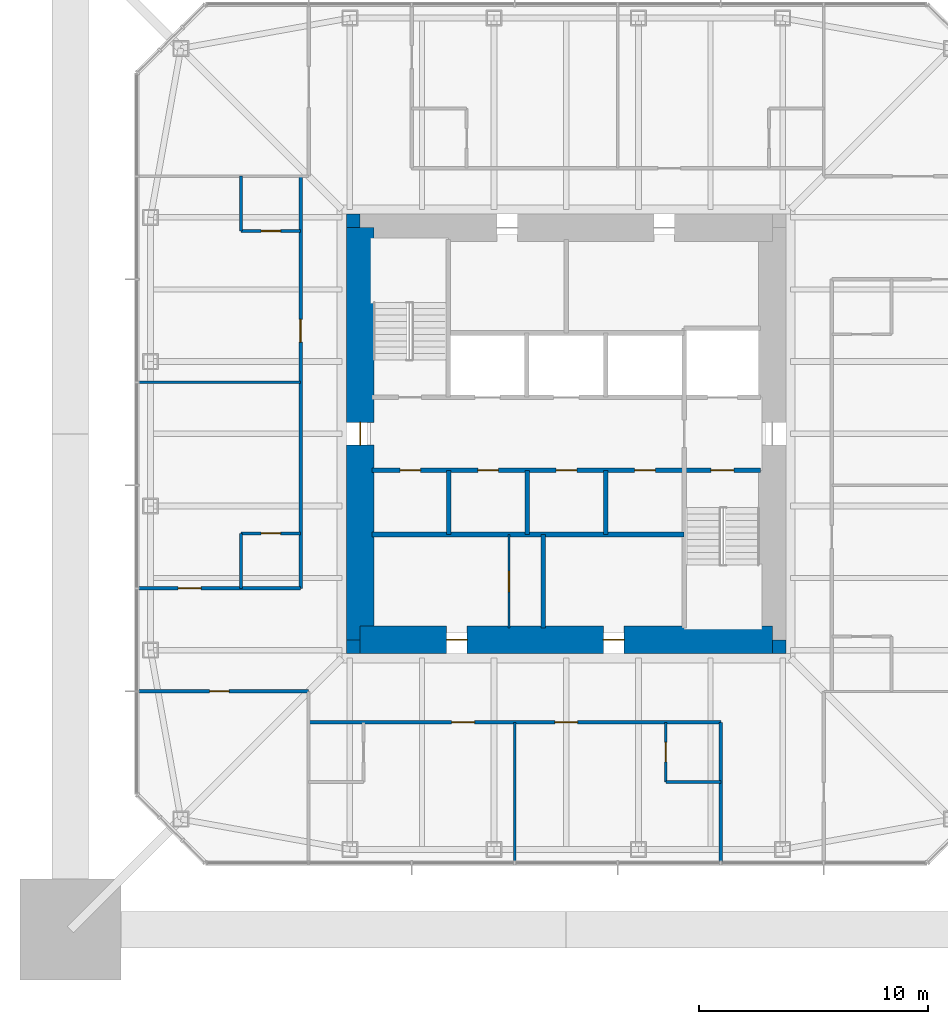
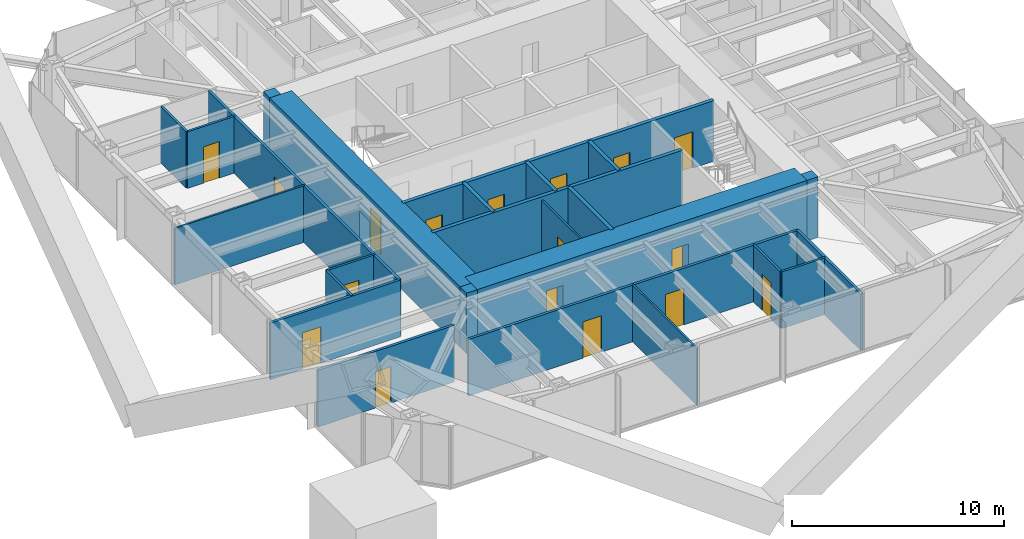
# One storey, part 8 of 13: 25 walls, 17 doors, 17 openings.
"""IFC4 building model written with IfcOpenShell, lengths in metres."""

from ifc_helpers import new_model, si_unit, direction, frame, frame_2d, origin, place, context, subcontext, project, spatial, rectangle, extrude, material, layer, layer_set, type_object, element, fill, save


model = new_model("IFC4")

# Units and contexts
model_context = context("Model", 3, precision=1e-05, world=origin(), true_north=direction((0.0, 1.0)))
body_context = subcontext(model_context, "Body", "Model", "MODEL_VIEW")
ifc_project = project(units=[si_unit("LENGTHUNIT", "METRE"), si_unit("AREAUNIT", "SQUARE_METRE"), si_unit("VOLUMEUNIT", "CUBIC_METRE"), si_unit("PLANEANGLEUNIT", "RADIAN"), si_unit("MASSUNIT", "GRAM", prefix="KILO")], contexts=[model_context])

# Site, building, storey
site_placement = place(None, origin())
site = spatial("IfcSite", under=ifc_project, at=site_placement, CompositionType="ELEMENT")
building_placement = place(site_placement, origin())
building = spatial("IfcBuilding", under=site, at=building_placement, Name="Iwan Alto Co-Living Towers", CompositionType="ELEMENT")
storey_placement = place(building_placement, frame((0.0, 0.0, 198.5)))
storey = spatial("IfcBuildingStorey", under=building, at=storey_placement, Name="L54", CompositionType="ELEMENT", Elevation=198.5)

# Wall, openings, doors
ifc_material_1 = material(Name="Gypsum board")
ifc_layer_1 = layer(ifc_material_1, 0.02490234375, Name="Board", Category="Finish")
ifc_material_2 = material(Name="Steel ASTM A1003 ST33H cold-formed studs", Category="steel")
ifc_layer_2 = layer(ifc_material_2, 0.10009765625, Name="Studs", Category="Framing")
ifc_layer_3 = layer(ifc_material_1, 0.02490234375, Name="Board", Category="Finish")
ifc_layer_set_1 = layer_set([ifc_layer_1, ifc_layer_2, ifc_layer_3], Name="CORRIDOR WALL 150")
wall_type_1 = type_object("IfcWallType", Name="CORRIDOR WALL 150", PredefinedType="PARTITIONING", material=ifc_layer_set_1)
wall_1_placement = place(storey_placement, frame((-11.25, -12.60009765625, 0.0), z_axis=(0.0, 0.0, 1.0), x_axis=(1.0, 0.0, 0.0)))
wall_1 = element("IfcWall", 1, at=wall_1_placement, inside=storey, type_object=wall_type_1, Name="Partition L54", PredefinedType="PARTITIONING", context=body_context, shape_type="SweptSolid", body=[
    extrude(rectangle(XDim=18.0, YDim=0.14990234375, at=frame_2d((9.0, 0.0))), origin(), (0.0, 0.0, 1.0), 3.27001953125),
])
opening_1_placement = place(wall_1_placement, frame((6.25, 0.0, 0.0)))
opening_1 = element("IfcOpeningElement", 2, at=opening_1_placement, cuts=wall_1, Name="Opening D3", PredefinedType="OPENING", context=body_context, shape_type="SweptSolid", body=[
    extrude(rectangle(XDim=1.0, YDim=2.10009765625, at=frame_2d((0.5, 1.050048828125))), frame((0.0, 0.0849609375, 0.0), z_axis=(0.0, -1.0, 0.0), x_axis=(1.0, 0.0, 0.0)), (0.0, 0.0, 1.0), 0.169921875),
])
opening_2_placement = place(wall_1_placement, frame((10.75, 0.0, 0.0)))
opening_2 = element("IfcOpeningElement", 3, at=opening_2_placement, cuts=wall_1, Name="Opening D3", PredefinedType="OPENING", context=body_context, shape_type="SweptSolid", body=[
    extrude(rectangle(XDim=1.0, YDim=2.10009765625, at=frame_2d((0.5, 1.050048828125))), frame((0.0, 0.0849609375, 0.0), z_axis=(0.0, -1.0, 0.0), x_axis=(1.0, 0.0, 0.0)), (0.0, 0.0, 1.0), 0.169921875),
])
ifc_material_3 = material(Name="Steel frame with timber leaf", Category="steel")
door_type_1 = type_object("IfcDoorType", Name="FLAT ENTRANCE DOOR FD30S 1000X2100", OperationType="SINGLE_SWING_LEFT", PredefinedType="DOOR", material=ifc_material_3)
door_1_placement = place(opening_1_placement, frame((1.0, 0.0, 0.0), z_axis=(0.0, 0.0, 1.0), x_axis=(-1.0, 0.0, 0.0)))
door_1 = element("IfcDoor", 4, at=door_1_placement, inside=storey, type_object=door_type_1, Name="Studio door L54", OperationType="SINGLE_SWING_LEFT", OverallHeight=2.10009765625, OverallWidth=1.0, PredefinedType="DOOR", context=body_context, shape_type="SweptSolid", body=[
    extrude(rectangle(XDim=1.0, YDim=2.10009765625, at=frame_2d((0.5, 1.050048828125))), frame((0.0, 0.02490234375, 0.0), z_axis=(0.0, -1.0, 0.0), x_axis=(1.0, 0.0, 0.0)), (0.0, 0.0, 1.0), 0.050048828125),
])
fill(opening_1, door_1)
door_2_placement = place(opening_2_placement, frame((1.0, 0.0, 0.0), z_axis=(0.0, 0.0, 1.0), x_axis=(-1.0, 0.0, 0.0)))
door_2 = element("IfcDoor", 5, at=door_2_placement, inside=storey, type_object=door_type_1, Name="Studio door L54", OperationType="SINGLE_SWING_RIGHT", OverallHeight=2.10009765625, OverallWidth=1.0, PredefinedType="DOOR", context=body_context, shape_type="SweptSolid", body=[
    extrude(rectangle(XDim=1.0, YDim=2.10009765625, at=frame_2d((0.5, 1.050048828125))), frame((0.0, 0.02490234375, 0.0), z_axis=(0.0, -1.0, 0.0), x_axis=(1.0, 0.0, 0.0)), (0.0, 0.0, 1.0), 0.050048828125),
])
fill(opening_2, door_2)

# Wall, opening, door
wall_2_placement = place(storey_placement, frame((-18.68994140625, -11.25, 0.0), z_axis=(0.0, 0.0, 1.0), x_axis=(1.0, 0.0, 0.0)))
wall_2 = element("IfcWall", 6, at=wall_2_placement, inside=storey, type_object=wall_type_1, Name="Partition L54", PredefinedType="PARTITIONING", context=body_context, shape_type="SweptSolid", body=[
    extrude(rectangle(XDim=7.43994140625, YDim=0.14990234375, at=frame_2d((3.719970703125, 0.0))), origin(), (0.0, 0.0, 1.0), 3.27001953125),
])
opening_3_placement = place(wall_2_placement, frame((3.1201171875, 0.0, 0.0)))
opening_3 = element("IfcOpeningElement", 7, at=opening_3_placement, cuts=wall_2, Name="Opening D2", PredefinedType="OPENING", context=body_context, shape_type="SweptSolid", body=[
    extrude(rectangle(XDim=0.85009765625, YDim=2.10009765625, at=frame_2d((0.425048828125, 1.050048828125))), frame((0.0, 0.0849609375, 0.0), z_axis=(0.0, -1.0, 0.0), x_axis=(1.0, 0.0, 0.0)), (0.0, 0.0, 1.0), 0.169921875),
])
ifc_material_4 = material(Name="Timber leaf in steel frame", Category="steel")
door_type_2 = type_object("IfcDoorType", Name="ROOM DOOR 850X2100", OperationType="SINGLE_SWING_LEFT", PredefinedType="DOOR", material=ifc_material_4)
door_3_placement = place(opening_3_placement, frame((0.85009765625, 0.0, 0.0), z_axis=(0.0, 0.0, 1.0), x_axis=(-1.0, 0.0, 0.0)))
door_3 = element("IfcDoor", 8, at=door_3_placement, inside=storey, type_object=door_type_2, Name="Shared kitchen and dining room door L54", OperationType="SINGLE_SWING_RIGHT", OverallHeight=2.10009765625, OverallWidth=0.85009765625, PredefinedType="DOOR", context=body_context, shape_type="SweptSolid", body=[
    extrude(rectangle(XDim=0.85009765625, YDim=2.10009765625, at=frame_2d((0.425048828125, 1.050048828125))), frame((0.0, 0.02490234375, 0.0), z_axis=(0.0, -1.0, 0.0), x_axis=(1.0, 0.0, 0.0)), (0.0, 0.0, 1.0), 0.050048828125),
])
fill(opening_3, door_3)

wall_3_placement = place(storey_placement, frame((-18.68994140625, -6.75, 0.0), z_axis=(0.0, 0.0, 1.0), x_axis=(1.0, 0.0, 0.0)))
wall_3 = element("IfcWall", 9, at=wall_3_placement, inside=storey, type_object=wall_type_1, Name="Partition L54", PredefinedType="PARTITIONING", context=body_context, shape_type="SweptSolid", body=[
    extrude(rectangle(XDim=7.08984375, YDim=0.14990234375, at=frame_2d((3.544921875, 0.0))), origin(), (0.0, 0.0, 1.0), 3.27001953125),
])
opening_4_placement = place(wall_3_placement, frame((1.7451171875, 0.0, 0.0)))
opening_4 = element("IfcOpeningElement", 10, at=opening_4_placement, cuts=wall_3, Name="Opening D3", PredefinedType="OPENING", context=body_context, shape_type="SweptSolid", body=[
    extrude(rectangle(XDim=1.0, YDim=2.10009765625, at=frame_2d((0.5, 1.050048828125))), frame((0.0, 0.0849609375, 0.0), z_axis=(0.0, -1.0, 0.0), x_axis=(1.0, 0.0, 0.0)), (0.0, 0.0, 1.0), 0.169921875),
])
door_4_placement = place(opening_4_placement, origin())
door_4 = element("IfcDoor", 11, at=door_4_placement, inside=storey, type_object=door_type_1, Name="Studio door L54", OperationType="SINGLE_SWING_RIGHT", OverallHeight=2.10009765625, OverallWidth=1.0, PredefinedType="DOOR", context=body_context, shape_type="SweptSolid", body=[
    extrude(rectangle(XDim=1.0, YDim=2.10009765625, at=frame_2d((0.5, 1.050048828125))), frame((0.0, 0.02490234375, 0.0), z_axis=(0.0, -1.0, 0.0), x_axis=(1.0, 0.0, 0.0)), (0.0, 0.0, 1.0), 0.050048828125),
])
fill(opening_4, door_4)

# Wall
wall_4_placement = place(storey_placement, frame((6.75, -18.68994140625, 0.0), z_axis=(0.0, 0.0, 1.0), x_axis=(0.0, 1.0, 0.0)))
element("IfcWall", 12, at=wall_4_placement, inside=storey, type_object=wall_type_1, Name="Partition L54", PredefinedType="PARTITIONING", context=body_context, shape_type="SweptSolid", body=[
    extrude(rectangle(XDim=6.08984375, YDim=0.14990234375, at=frame_2d((3.044921875, 0.0))), origin(), (0.0, 0.0, 1.0), 3.27001953125),
])

# Wall, opening, door
wall_5_placement = place(storey_placement, frame((-11.60009765625, -6.75, 0.0), z_axis=(0.0, 0.0, 1.0), x_axis=(0.0, 1.0, 0.0)))
wall_5 = element("IfcWall", 13, at=wall_5_placement, inside=storey, type_object=wall_type_1, Name="Partition L54", PredefinedType="PARTITIONING", context=body_context, shape_type="SweptSolid", body=[
    extrude(rectangle(XDim=18.0, YDim=0.14990234375, at=frame_2d((9.0, 0.0))), origin(), (0.0, 0.0, 1.0), 3.27001953125),
])
opening_5_placement = place(wall_5_placement, frame((10.75, 0.0, 0.0)))
opening_5 = element("IfcOpeningElement", 14, at=opening_5_placement, cuts=wall_5, Name="Opening D3", PredefinedType="OPENING", context=body_context, shape_type="SweptSolid", body=[
    extrude(rectangle(XDim=1.0, YDim=2.10009765625, at=frame_2d((0.5, 1.050048828125))), frame((0.0, 0.0849609375, 0.0), z_axis=(0.0, -1.0, 0.0), x_axis=(1.0, 0.0, 0.0)), (0.0, 0.0, 1.0), 0.169921875),
])
door_5_placement = place(opening_5_placement, origin())
door_5 = element("IfcDoor", 15, at=door_5_placement, inside=storey, type_object=door_type_1, Name="Studio door L54", OperationType="SINGLE_SWING_LEFT", OverallHeight=2.10009765625, OverallWidth=1.0, PredefinedType="DOOR", context=body_context, shape_type="SweptSolid", body=[
    extrude(rectangle(XDim=1.0, YDim=2.10009765625, at=frame_2d((0.5, 1.050048828125))), frame((0.0, 0.02490234375, 0.0), z_axis=(0.0, -1.0, 0.0), x_axis=(1.0, 0.0, 0.0)), (0.0, 0.0, 1.0), 0.050048828125),
])
fill(opening_5, door_5)

# Walls
ifc_layer_4 = layer(ifc_material_1, 0.012451171875, Name="Board", Category="Finish")
ifc_layer_5 = layer(ifc_material_2, 0.074951171875, Name="Studs", Category="Framing")
ifc_layer_6 = layer(ifc_material_1, 0.012451171875, Name="Board", Category="Finish")
ifc_layer_set_2 = layer_set([ifc_layer_4, ifc_layer_5, ifc_layer_6], Name="PARTITION 100")
wall_type_2 = type_object("IfcWallType", Name="PARTITION 100", PredefinedType="PARTITIONING", material=ifc_layer_set_2)
wall_6_placement = place(storey_placement, frame((-18.68994140625, 2.25, 0.0), z_axis=(0.0, 0.0, 1.0), x_axis=(1.0, 0.0, 0.0)))
element("IfcWall", 16, at=wall_6_placement, inside=storey, type_object=wall_type_2, Name="Partition L54", PredefinedType="PARTITIONING", context=body_context, shape_type="SweptSolid", body=[
    extrude(rectangle(XDim=7.08984375, YDim=0.10009765625, at=frame_2d((3.544921875, 0.0))), origin(), (0.0, 0.0, 1.0), 3.27001953125),
])
wall_7_placement = place(storey_placement, frame((-2.25, -18.68994140625, 0.0), z_axis=(0.0, 0.0, 1.0), x_axis=(0.0, 1.0, 0.0)))
element("IfcWall", 17, at=wall_7_placement, inside=storey, type_object=wall_type_2, Name="Partition L54", PredefinedType="PARTITIONING", context=body_context, shape_type="SweptSolid", body=[
    extrude(rectangle(XDim=6.08984375, YDim=0.10009765625, at=frame_2d((3.044921875, 0.0))), origin(), (0.0, 0.0, 1.0), 3.27001953125),
])

# Wall, opening, door
wall_8_placement = place(storey_placement, frame((-2.5, -8.489990234375, 0.0), z_axis=(0.0, 0.0, 1.0), x_axis=(0.0, 1.0, 0.0)))
wall_8 = element("IfcWall", 18, at=wall_8_placement, inside=storey, type_object=wall_type_2, Name="Partition L54", PredefinedType="PARTITIONING", context=body_context, shape_type="SweptSolid", body=[
    extrude(rectangle(XDim=4.090087890625, YDim=0.10009765625, at=frame_2d((2.044921875, 0.0))), origin(), (0.0, 0.0, 1.0), 3.300048828125),
])
opening_6_placement = place(wall_8_placement, frame((1.594970703125, 0.0, 0.0)))
opening_6 = element("IfcOpeningElement", 19, at=opening_6_placement, cuts=wall_8, Name="Opening D16", PredefinedType="OPENING", context=body_context, shape_type="SweptSolid", body=[
    extrude(rectangle(XDim=0.89990234375, YDim=2.10009765625, at=frame_2d((0.449951171875, 1.050048828125))), frame((0.0, 0.06005859375, 0.0), z_axis=(0.0, -1.0, 0.0), x_axis=(1.0, 0.0, 0.0)), (0.0, 0.0, 1.0), 0.1201171875),
])
ifc_material_5 = material(Name="Timber leaf in steel frame", Category="steel")
door_type_3 = type_object("IfcDoorType", Name="CUPBOARD SLIDING DOOR 900X2100", OperationType="SLIDING_TO_LEFT", PredefinedType="DOOR", material=ifc_material_5)
door_6_placement = place(opening_6_placement, origin())
door_6 = element("IfcDoor", 20, at=door_6_placement, inside=storey, type_object=door_type_3, Name="Recycling store door L54", OperationType="SLIDING_TO_LEFT", OverallHeight=2.10009765625, OverallWidth=0.89990234375, PredefinedType="DOOR", context=body_context, shape_type="SweptSolid", body=[
    extrude(rectangle(XDim=0.89990234375, YDim=2.10009765625, at=frame_2d((0.449951171875, 1.050048828125))), frame((0.0, 0.02490234375, 0.0), z_axis=(0.0, -1.0, 0.0), x_axis=(1.0, 0.0, 0.0)), (0.0, 0.0, 1.0), 0.050048828125),
])
fill(opening_6, door_6)

# Wall
ifc_material_6 = material(Name="Concrete f'c 70 MPa", Category="concrete")
ifc_layer_7 = layer(ifc_material_6, 0.199951171875)
ifc_layer_set_3 = layer_set([ifc_layer_7], Name="SHAFT WALL 200")
wall_type_3 = type_object("IfcWallType", Name="SHAFT WALL 200", PredefinedType="SOLIDWALL", material=ifc_layer_set_3)
wall_9_placement = place(storey_placement, frame((-8.489990234375, -4.39990234375, 0.0), z_axis=(0.0, 0.0, 1.0), x_axis=(1.0, 0.0, 0.0)))
element("IfcWall", 21, at=wall_9_placement, inside=storey, type_object=wall_type_3, Name="Shaft wall L54", PredefinedType="SOLIDWALL", context=body_context, shape_type="SweptSolid", body=[
    extrude(rectangle(XDim=13.639892578125, YDim=0.199951171875, at=frame_2d((6.81982421875, 0.0))), origin(), (0.0, 0.0, 1.0), 3.5),
])

# Wall, openings, doors
wall_10_placement = place(storey_placement, frame((-8.489990234375, -1.60009765625, 0.0), z_axis=(0.0, 0.0, 1.0), x_axis=(1.0, 0.0, 0.0)))
wall_10 = element("IfcWall", 22, at=wall_10_placement, inside=storey, type_object=wall_type_3, Name="Shaft wall L54", PredefinedType="SOLIDWALL", context=body_context, shape_type="SweptSolid", body=[
    extrude(rectangle(XDim=16.97998046875, YDim=0.199951171875, at=frame_2d((8.489990234375, 0.0))), origin(), (0.0, 0.0, 1.0), 3.5),
])
opening_7_placement = place(wall_10_placement, frame((14.81005859375, 0.0, 0.0)))
opening_7 = element("IfcOpeningElement", 23, at=opening_7_placement, cuts=wall_10, Name="Opening D5", PredefinedType="OPENING", context=body_context, shape_type="SweptSolid", body=[
    extrude(rectangle(XDim=1.0, YDim=2.10009765625, at=frame_2d((0.5, 1.050048828125))), frame((0.0, 0.10986328125, 0.0), z_axis=(0.0, -1.0, 0.0), x_axis=(1.0, 0.0, 0.0)), (0.0, 0.0, 1.0), 0.219970703125),
])
opening_8_placement = place(wall_10_placement, frame((1.23193359375, 0.0, 0.0)))
opening_8 = element("IfcOpeningElement", 24, at=opening_8_placement, cuts=wall_10, Name="Opening D15", PredefinedType="OPENING", context=body_context, shape_type="SweptSolid", body=[
    extrude(rectangle(XDim=0.89990234375, YDim=2.10009765625, at=frame_2d((0.449951171875, 1.050048828125))), frame((0.0, 0.10986328125, 0.0), z_axis=(0.0, -1.0, 0.0), x_axis=(1.0, 0.0, 0.0)), (0.0, 0.0, 1.0), 0.219970703125),
])
opening_9_placement = place(wall_10_placement, frame((4.626953125, 0.0, 0.0)))
opening_9 = element("IfcOpeningElement", 25, at=opening_9_placement, cuts=wall_10, Name="Opening D15", PredefinedType="OPENING", context=body_context, shape_type="SweptSolid", body=[
    extrude(rectangle(XDim=0.89990234375, YDim=2.10009765625, at=frame_2d((0.449951171875, 1.050048828125))), frame((0.0, 0.10986328125, 0.0), z_axis=(0.0, -1.0, 0.0), x_axis=(1.0, 0.0, 0.0)), (0.0, 0.0, 1.0), 0.219970703125),
])
opening_10_placement = place(wall_10_placement, frame((8.052001953125, 0.0, 0.0)))
opening_10 = element("IfcOpeningElement", 26, at=opening_10_placement, cuts=wall_10, Name="Opening D15", PredefinedType="OPENING", context=body_context, shape_type="SweptSolid", body=[
    extrude(rectangle(XDim=0.89990234375, YDim=2.10009765625, at=frame_2d((0.449951171875, 1.050048828125))), frame((0.0, 0.10986328125, 0.0), z_axis=(0.0, -1.0, 0.0), x_axis=(1.0, 0.0, 0.0)), (0.0, 0.0, 1.0), 0.219970703125),
])
opening_11_placement = place(wall_10_placement, frame((11.47802734375, 0.0, 0.0)))
opening_11 = element("IfcOpeningElement", 27, at=opening_11_placement, cuts=wall_10, Name="Opening D15", PredefinedType="OPENING", context=body_context, shape_type="SweptSolid", body=[
    extrude(rectangle(XDim=0.89990234375, YDim=2.10009765625, at=frame_2d((0.449951171875, 1.050048828125))), frame((0.0, 0.10986328125, 0.0), z_axis=(0.0, -1.0, 0.0), x_axis=(1.0, 0.0, 0.0)), (0.0, 0.0, 1.0), 0.219970703125),
])
ifc_material_7 = material(Name="Steel frame with timber leaf", Category="steel")
door_type_4 = type_object("IfcDoorType", Name="CORE ROOM DOOR FD60S 900X2100", OperationType="SINGLE_SWING_LEFT", PredefinedType="DOOR", material=ifc_material_7)
door_7_placement = place(opening_8_placement, frame((0.89990234375, 0.0, 0.0), z_axis=(0.0, 0.0, 1.0), x_axis=(-1.0, 0.0, 0.0)))
door_7 = element("IfcDoor", 28, at=door_7_placement, inside=storey, type_object=door_type_4, Name="Comms room door L54", OperationType="SINGLE_SWING_LEFT", OverallHeight=2.10009765625, OverallWidth=0.89990234375, PredefinedType="DOOR", context=body_context, shape_type="SweptSolid", body=[
    extrude(rectangle(XDim=0.89990234375, YDim=2.10009765625, at=frame_2d((0.449951171875, 1.050048828125))), frame((0.0, 0.02490234375, 0.0), z_axis=(0.0, -1.0, 0.0), x_axis=(1.0, 0.0, 0.0)), (0.0, 0.0, 1.0), 0.050048828125),
])
fill(opening_8, door_7)
door_8_placement = place(opening_9_placement, frame((0.89990234375, 0.0, 0.0), z_axis=(0.0, 0.0, 1.0), x_axis=(-1.0, 0.0, 0.0)))
door_8 = element("IfcDoor", 29, at=door_8_placement, inside=storey, type_object=door_type_4, Name="Cleaner's store door L54", OperationType="SINGLE_SWING_RIGHT", OverallHeight=2.10009765625, OverallWidth=0.89990234375, PredefinedType="DOOR", context=body_context, shape_type="SweptSolid", body=[
    extrude(rectangle(XDim=0.89990234375, YDim=2.10009765625, at=frame_2d((0.449951171875, 1.050048828125))), frame((0.0, 0.02490234375, 0.0), z_axis=(0.0, -1.0, 0.0), x_axis=(1.0, 0.0, 0.0)), (0.0, 0.0, 1.0), 0.050048828125),
])
fill(opening_9, door_8)
door_9_placement = place(opening_10_placement, frame((0.89990234375, 0.0, 0.0), z_axis=(0.0, 0.0, 1.0), x_axis=(-1.0, 0.0, 0.0)))
door_9 = element("IfcDoor", 30, at=door_9_placement, inside=storey, type_object=door_type_4, Name="Guest pantry door L54", OperationType="SINGLE_SWING_RIGHT", OverallHeight=2.10009765625, OverallWidth=0.89990234375, PredefinedType="DOOR", context=body_context, shape_type="SweptSolid", body=[
    extrude(rectangle(XDim=0.89990234375, YDim=2.10009765625, at=frame_2d((0.449951171875, 1.050048828125))), frame((0.0, 0.02490234375, 0.0), z_axis=(0.0, -1.0, 0.0), x_axis=(1.0, 0.0, 0.0)), (0.0, 0.0, 1.0), 0.050048828125),
])
fill(opening_10, door_9)
door_10_placement = place(opening_11_placement, frame((0.89990234375, 0.0, 0.0), z_axis=(0.0, 0.0, 1.0), x_axis=(-1.0, 0.0, 0.0)))
door_10 = element("IfcDoor", 31, at=door_10_placement, inside=storey, type_object=door_type_4, Name="Housekeeping store door L54", OperationType="SINGLE_SWING_RIGHT", OverallHeight=2.10009765625, OverallWidth=0.89990234375, PredefinedType="DOOR", context=body_context, shape_type="SweptSolid", body=[
    extrude(rectangle(XDim=0.89990234375, YDim=2.10009765625, at=frame_2d((0.449951171875, 1.050048828125))), frame((0.0, 0.02490234375, 0.0), z_axis=(0.0, -1.0, 0.0), x_axis=(1.0, 0.0, 0.0)), (0.0, 0.0, 1.0), 0.050048828125),
])
fill(opening_11, door_10)
ifc_material_8 = material(Name="Steel frame with timber leaf", Category="steel")
door_type_5 = type_object("IfcDoorType", Name="STAIR DOOR FD120S 1000X2100", OperationType="SINGLE_SWING_LEFT", PredefinedType="DOOR", material=ifc_material_8)
door_11_placement = place(opening_7_placement, frame((1.0, 0.0, 0.0), z_axis=(0.0, 0.0, 1.0), x_axis=(-1.0, 0.0, 0.0)))
door_11 = element("IfcDoor", 32, at=door_11_placement, inside=storey, type_object=door_type_5, Name="Stair S2 door L54", OperationType="SINGLE_SWING_RIGHT", OverallHeight=2.10009765625, OverallWidth=1.0, PredefinedType="DOOR", context=body_context, shape_type="SweptSolid", body=[
    extrude(rectangle(XDim=1.0, YDim=2.10009765625, at=frame_2d((0.5, 1.050048828125))), frame((0.0, 0.02490234375, 0.0), z_axis=(0.0, -1.0, 0.0), x_axis=(1.0, 0.0, 0.0)), (0.0, 0.0, 1.0), 0.050048828125),
])
fill(opening_7, door_11)

# Walls
wall_11_placement = place(storey_placement, frame((1.72509765625, -4.39990234375, 0.0), z_axis=(0.0, 0.0, 1.0), x_axis=(0.0, 1.0, 0.0)))
element("IfcWall", 33, at=wall_11_placement, inside=storey, type_object=wall_type_3, Name="Shaft wall L54", PredefinedType="SOLIDWALL", context=body_context, shape_type="SweptSolid", body=[
    extrude(rectangle(XDim=2.7998046875, YDim=0.199951171875, at=frame_2d((1.39990234375, 0.0))), origin(), (0.0, 0.0, 1.0), 3.5),
])
wall_12_placement = place(storey_placement, frame((-1.0, -8.489990234375, 0.0), z_axis=(0.0, 0.0, 1.0), x_axis=(0.0, 1.0, 0.0)))
element("IfcWall", 34, at=wall_12_placement, inside=storey, type_object=wall_type_3, Name="Shaft wall L54", PredefinedType="SOLIDWALL", context=body_context, shape_type="SweptSolid", body=[
    extrude(rectangle(XDim=4.090087890625, YDim=0.199951171875, at=frame_2d((2.044921875, 0.0))), origin(), (0.0, 0.0, 1.0), 3.5),
])
for number, where, z_axis, x_axis, name in (
    (35, (-1.699951171875, -4.39990234375, 0.0), (0.0, 0.0, 1.0), (0.0, 1.0, 0.0), "Shaft wall L54"),
    (36, (-5.125, -4.39990234375, 0.0), (0.0, 0.0, 1.0), (0.0, 1.0, 0.0), "Shaft wall L54"),
):
    element("IfcWall", number, at=place(storey_placement, frame(where, z_axis=z_axis, x_axis=x_axis)), inside=storey, type_object=wall_type_3, Name=name, PredefinedType="SOLIDWALL", context=body_context, shape_type="SweptSolid", body=[
        extrude(rectangle(XDim=2.7998046875, YDim=0.199951171875, at=frame_2d((1.39990234375, 0.0))), origin(), (0.0, 0.0, 1.0), 3.5),
    ])
ifc_material_9 = material(Name="Concrete f'c 70 MPa", Category="concrete")
ifc_layer_8 = layer(ifc_material_9, 0.60009765625)
ifc_layer_set_4 = layer_set([ifc_layer_8], Name="T1 CORE CORNER FILL 600")
wall_type_4 = type_object("IfcWallType", Name="T1 CORE CORNER FILL 600", PredefinedType="SOLIDWALL", material=ifc_layer_set_4)
for number, where, z_axis, x_axis, name in (
    (37, (-9.60009765625, -9.300048828125, 0.0), (0.0, 0.0, 1.0), (1.0, 0.0, 0.0), "T1 core corner SW L54"),
    (38, (9.0, -9.300048828125, 0.0), (0.0, 0.0, 1.0), (1.0, 0.0, 0.0), "T1 core corner SE L54"),
    (39, (-9.60009765625, 9.300048828125, 0.0), (0.0, 0.0, 1.0), (1.0, 0.0, 0.0), "T1 core corner NW L54"),
):
    element("IfcWall", number, at=place(storey_placement, frame(where, z_axis=z_axis, x_axis=x_axis)), inside=storey, type_object=wall_type_4, Name=name, PredefinedType="SOLIDWALL", context=body_context, shape_type="SweptSolid", body=[
        extrude(rectangle(XDim=0.60009765625, YDim=0.60009765625, at=frame_2d((0.300048828125, 0.0))), origin(), (0.0, 0.0, 1.0), 3.5),
    ])

# Wall, openings, doors
ifc_material_10 = material(Name="Concrete f'c 70 MPa", Category="concrete")
ifc_layer_9 = layer(ifc_material_10, 1.199951171875)
ifc_layer_set_5 = layer_set([ifc_layer_9], Name="T1 CORE WALL 1200")
wall_type_5 = type_object("IfcWallType", Name="T1 CORE WALL 1200", PredefinedType="SHEAR", material=ifc_layer_set_5)
wall_13_placement = place(storey_placement, frame((-9.0, -9.0, 0.0), z_axis=(0.0, 0.0, 1.0), x_axis=(1.0, 0.0, 0.0)))
wall_13 = element("IfcWall", 40, at=wall_13_placement, inside=storey, type_object=wall_type_5, Name="T1 core wall S L54", PredefinedType="SHEAR", context=body_context, shape_type="SweptSolid", body=[
    extrude(rectangle(XDim=18.0, YDim=1.199951171875, at=frame_2d((9.0, 0.0))), origin(), (0.0, 0.0, 1.0), 3.5),
])
opening_12_placement = place(wall_13_placement, frame((3.77490234375, 0.0, 0.0)))
opening_12 = element("IfcOpeningElement", 41, at=opening_12_placement, cuts=wall_13, Name="Opening D8", PredefinedType="OPENING", context=body_context, shape_type="SweptSolid", body=[
    extrude(rectangle(XDim=0.89990234375, YDim=2.10009765625, at=frame_2d((0.449951171875, 1.050048828125))), frame((0.0, 0.60986328125, 0.0), z_axis=(0.0, -1.0, 0.0), x_axis=(1.0, 0.0, 0.0)), (0.0, 0.0, 1.0), 1.219970703125),
])
opening_13_placement = place(wall_13_placement, frame((10.625, 0.0, 0.0)))
opening_13 = element("IfcOpeningElement", 42, at=opening_13_placement, cuts=wall_13, Name="Opening D8", PredefinedType="OPENING", context=body_context, shape_type="SweptSolid", body=[
    extrude(rectangle(XDim=0.89990234375, YDim=2.10009765625, at=frame_2d((0.449951171875, 1.050048828125))), frame((0.0, 0.60986328125, 0.0), z_axis=(0.0, -1.0, 0.0), x_axis=(1.0, 0.0, 0.0)), (0.0, 0.0, 1.0), 1.219970703125),
])
ifc_material_11 = material(Name="Steel frame with timber leaf", Category="steel")
door_type_6 = type_object("IfcDoorType", Name="RISER DOOR FD120 900X2100", OperationType="SINGLE_SWING_LEFT", PredefinedType="DOOR", material=ifc_material_11)
door_12_placement = place(opening_12_placement, origin())
door_12 = element("IfcDoor", 43, at=door_12_placement, inside=storey, type_object=door_type_6, Name="Refuse room core door L54", OperationType="SINGLE_SWING_RIGHT", OverallHeight=2.10009765625, OverallWidth=0.89990234375, PredefinedType="DOOR", context=body_context, shape_type="SweptSolid", body=[
    extrude(rectangle(XDim=0.89990234375, YDim=2.10009765625, at=frame_2d((0.449951171875, 1.050048828125))), frame((0.0, 0.02490234375, 0.0), z_axis=(0.0, -1.0, 0.0), x_axis=(1.0, 0.0, 0.0)), (0.0, 0.0, 1.0), 0.050048828125),
])
fill(opening_12, door_12)
door_13_placement = place(opening_13_placement, origin())
door_13 = element("IfcDoor", 44, at=door_13_placement, inside=storey, type_object=door_type_6, Name="Telecom riser core door L54", OperationType="SINGLE_SWING_LEFT", OverallHeight=2.10009765625, OverallWidth=0.89990234375, PredefinedType="DOOR", context=body_context, shape_type="SweptSolid", body=[
    extrude(rectangle(XDim=0.89990234375, YDim=2.10009765625, at=frame_2d((0.449951171875, 1.050048828125))), frame((0.0, 0.02490234375, 0.0), z_axis=(0.0, -1.0, 0.0), x_axis=(1.0, 0.0, 0.0)), (0.0, 0.0, 1.0), 0.050048828125),
])
fill(opening_13, door_13)

# Wall, opening, door
wall_14_placement = place(storey_placement, frame((-9.0, 9.0, 0.0), z_axis=(0.0, 0.0, 1.0), x_axis=(0.0, -1.0, 0.0)))
wall_14 = element("IfcWall", 45, at=wall_14_placement, inside=storey, type_object=wall_type_5, Name="T1 core wall W L54", PredefinedType="SHEAR", context=body_context, shape_type="SweptSolid", body=[
    extrude(rectangle(XDim=18.0, YDim=1.199951171875, at=frame_2d((9.0, 0.0))), origin(), (0.0, 0.0, 1.0), 3.5),
])
opening_14_placement = place(wall_14_placement, frame((8.5, 0.0, 0.0)))
opening_14 = element("IfcOpeningElement", 46, at=opening_14_placement, cuts=wall_14, Name="Opening D7", PredefinedType="OPENING", context=body_context, shape_type="SweptSolid", body=[
    extrude(rectangle(XDim=1.0, YDim=2.10009765625, at=frame_2d((0.5, 1.050048828125))), frame((0.0, 0.60986328125, 0.0), z_axis=(0.0, -1.0, 0.0), x_axis=(1.0, 0.0, 0.0)), (0.0, 0.0, 1.0), 1.219970703125),
])
ifc_material_12 = material(Name="Steel frame with timber leaf", Category="steel")
door_type_7 = type_object("IfcDoorType", Name="CORE DOOR FD120S 1000X2100", OperationType="SINGLE_SWING_LEFT", PredefinedType="DOOR", material=ifc_material_12)
door_14_placement = place(opening_14_placement, origin())
door_14 = element("IfcDoor", 47, at=door_14_placement, inside=storey, type_object=door_type_7, Name="Lift lobby core door L54", OperationType="SINGLE_SWING_RIGHT", OverallHeight=2.10009765625, OverallWidth=1.0, PredefinedType="DOOR", context=body_context, shape_type="SweptSolid", body=[
    extrude(rectangle(XDim=1.0, YDim=2.10009765625, at=frame_2d((0.5, 1.050048828125))), frame((0.0, 0.02490234375, 0.0), z_axis=(0.0, -1.0, 0.0), x_axis=(1.0, 0.0, 0.0)), (0.0, 0.0, 1.0), 0.050048828125),
])
fill(opening_14, door_14)

# Wall
ifc_material_13 = material(Name="Cement board")
ifc_layer_10 = layer(ifc_material_13, 0.012451171875, Name="Board", Category="Finish")
ifc_layer_11 = layer(ifc_material_2, 0.094970703125, Name="Studs", Category="Framing")
ifc_layer_12 = layer(ifc_material_13, 0.012451171875, Name="Board", Category="Finish")
ifc_layer_set_6 = layer_set([ifc_layer_10, ifc_layer_11, ifc_layer_12], Name="WET AREA PARTITION 120")
wall_type_6 = type_object("IfcWallType", Name="WET AREA PARTITION 120", PredefinedType="PARTITIONING", material=ifc_layer_set_6)
wall_15_placement = place(storey_placement, frame((4.35009765625, -15.199951171875, 0.0), z_axis=(0.0, 0.0, 1.0), x_axis=(1.0, 0.0, 0.0)))
element("IfcWall", 48, at=wall_15_placement, inside=storey, type_object=wall_type_6, Name="Partition L54", PredefinedType="PARTITIONING", context=body_context, shape_type="SweptSolid", body=[
    extrude(rectangle(XDim=2.39990234375, YDim=0.1201171875, at=frame_2d((1.199951171875, 0.0))), origin(), (0.0, 0.0, 1.0), 3.27001953125),
])

# Wall, opening, door
wall_16_placement = place(storey_placement, frame((-14.199951171875, -4.35009765625, 0.0), z_axis=(0.0, 0.0, 1.0), x_axis=(1.0, 0.0, 0.0)))
wall_16 = element("IfcWall", 49, at=wall_16_placement, inside=storey, type_object=wall_type_6, Name="Partition L54", PredefinedType="PARTITIONING", context=body_context, shape_type="SweptSolid", body=[
    extrude(rectangle(XDim=2.599853515625, YDim=0.1201171875, at=frame_2d((1.2998046875, 0.0))), origin(), (0.0, 0.0, 1.0), 3.27001953125),
])
opening_15_placement = place(wall_16_placement, frame((0.875, 0.0, 0.0)))
opening_15 = element("IfcOpeningElement", 50, at=opening_15_placement, cuts=wall_16, Name="Opening D2", PredefinedType="OPENING", context=body_context, shape_type="SweptSolid", body=[
    extrude(rectangle(XDim=0.85009765625, YDim=2.10009765625, at=frame_2d((0.425048828125, 1.050048828125))), frame((0.0, 0.070068359375, 0.0), z_axis=(0.0, -1.0, 0.0), x_axis=(1.0, 0.0, 0.0)), (0.0, 0.0, 1.0), 0.14013671875),
])
door_15_placement = place(opening_15_placement, origin())
door_15 = element("IfcDoor", 51, at=door_15_placement, inside=storey, type_object=door_type_2, Name="En-suite shower room door L54", OperationType="SINGLE_SWING_RIGHT", OverallHeight=2.10009765625, OverallWidth=0.85009765625, PredefinedType="DOOR", context=body_context, shape_type="SweptSolid", body=[
    extrude(rectangle(XDim=0.85009765625, YDim=2.10009765625, at=frame_2d((0.425048828125, 1.050048828125))), frame((0.0, 0.02490234375, 0.0), z_axis=(0.0, -1.0, 0.0), x_axis=(1.0, 0.0, 0.0)), (0.0, 0.0, 1.0), 0.050048828125),
])
fill(opening_15, door_15)

wall_17_placement = place(storey_placement, frame((-14.199951171875, 8.85009765625, 0.0), z_axis=(0.0, 0.0, 1.0), x_axis=(1.0, 0.0, 0.0)))
wall_17 = element("IfcWall", 52, at=wall_17_placement, inside=storey, type_object=wall_type_6, Name="Partition L54", PredefinedType="PARTITIONING", context=body_context, shape_type="SweptSolid", body=[
    extrude(rectangle(XDim=2.599853515625, YDim=0.1201171875, at=frame_2d((1.2998046875, 0.0))), origin(), (0.0, 0.0, 1.0), 3.27001953125),
])
opening_16_placement = place(wall_17_placement, frame((0.875, 0.0, 0.0)))
opening_16 = element("IfcOpeningElement", 53, at=opening_16_placement, cuts=wall_17, Name="Opening D2", PredefinedType="OPENING", context=body_context, shape_type="SweptSolid", body=[
    extrude(rectangle(XDim=0.85009765625, YDim=2.10009765625, at=frame_2d((0.425048828125, 1.050048828125))), frame((0.0, 0.070068359375, 0.0), z_axis=(0.0, -1.0, 0.0), x_axis=(1.0, 0.0, 0.0)), (0.0, 0.0, 1.0), 0.14013671875),
])
door_16_placement = place(opening_16_placement, frame((0.85009765625, 0.0, 0.0), z_axis=(0.0, 0.0, 1.0), x_axis=(-1.0, 0.0, 0.0)))
door_16 = element("IfcDoor", 54, at=door_16_placement, inside=storey, type_object=door_type_2, Name="En-suite shower room door L54", OperationType="SINGLE_SWING_LEFT", OverallHeight=2.10009765625, OverallWidth=0.85009765625, PredefinedType="DOOR", context=body_context, shape_type="SweptSolid", body=[
    extrude(rectangle(XDim=0.85009765625, YDim=2.10009765625, at=frame_2d((0.425048828125, 1.050048828125))), frame((0.0, 0.02490234375, 0.0), z_axis=(0.0, -1.0, 0.0), x_axis=(1.0, 0.0, 0.0)), (0.0, 0.0, 1.0), 0.050048828125),
])
fill(opening_16, door_16)

wall_18_placement = place(storey_placement, frame((4.35009765625, -15.199951171875, 0.0), z_axis=(0.0, 0.0, 1.0), x_axis=(0.0, 1.0, 0.0)))
wall_18 = element("IfcWall", 55, at=wall_18_placement, inside=storey, type_object=wall_type_6, Name="Partition L54", PredefinedType="PARTITIONING", context=body_context, shape_type="SweptSolid", body=[
    extrude(rectangle(XDim=2.599853515625, YDim=0.1201171875, at=frame_2d((1.2998046875, 0.0))), origin(), (0.0, 0.0, 1.0), 3.27001953125),
])
opening_17_placement = place(wall_18_placement, frame((0.875, 0.0, 0.0)))
opening_17 = element("IfcOpeningElement", 56, at=opening_17_placement, cuts=wall_18, Name="Opening D2", PredefinedType="OPENING", context=body_context, shape_type="SweptSolid", body=[
    extrude(rectangle(XDim=0.85009765625, YDim=2.10009765625, at=frame_2d((0.425048828125, 1.050048828125))), frame((0.0, 0.070068359375, 0.0), z_axis=(0.0, -1.0, 0.0), x_axis=(1.0, 0.0, 0.0)), (0.0, 0.0, 1.0), 0.14013671875),
])
door_17_placement = place(opening_17_placement, origin())
door_17 = element("IfcDoor", 57, at=door_17_placement, inside=storey, type_object=door_type_2, Name="En-suite shower room door L54", OperationType="SINGLE_SWING_RIGHT", OverallHeight=2.10009765625, OverallWidth=0.85009765625, PredefinedType="DOOR", context=body_context, shape_type="SweptSolid", body=[
    extrude(rectangle(XDim=0.85009765625, YDim=2.10009765625, at=frame_2d((0.425048828125, 1.050048828125))), frame((0.0, 0.02490234375, 0.0), z_axis=(0.0, -1.0, 0.0), x_axis=(1.0, 0.0, 0.0)), (0.0, 0.0, 1.0), 0.050048828125),
])
fill(opening_17, door_17)

# Walls
for number, where, z_axis, x_axis, name in (
    (58, (-14.199951171875, -6.75, 0.0), (0.0, 0.0, 1.0), (0.0, 1.0, 0.0), "Partition L54"),
    (59, (-14.199951171875, 8.85009765625, 0.0), (0.0, 0.0, 1.0), (0.0, 1.0, 0.0), "Partition L54"),
):
    element("IfcWall", number, at=place(storey_placement, frame(where, z_axis=z_axis, x_axis=x_axis)), inside=storey, type_object=wall_type_6, Name=name, PredefinedType="PARTITIONING", context=body_context, shape_type="SweptSolid", body=[
        extrude(rectangle(XDim=2.39990234375, YDim=0.1201171875, at=frame_2d((1.199951171875, 0.0))), origin(), (0.0, 0.0, 1.0), 3.27001953125),
    ])

save(model, "model.ifc")
